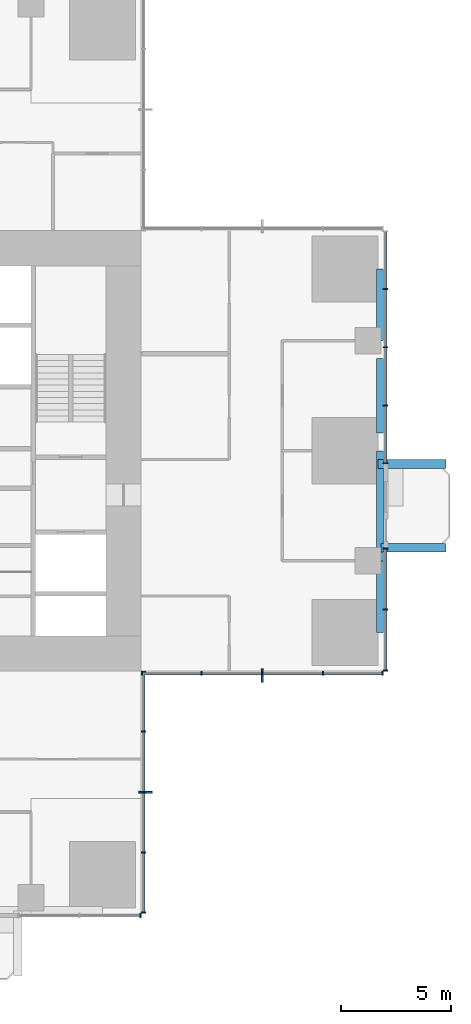
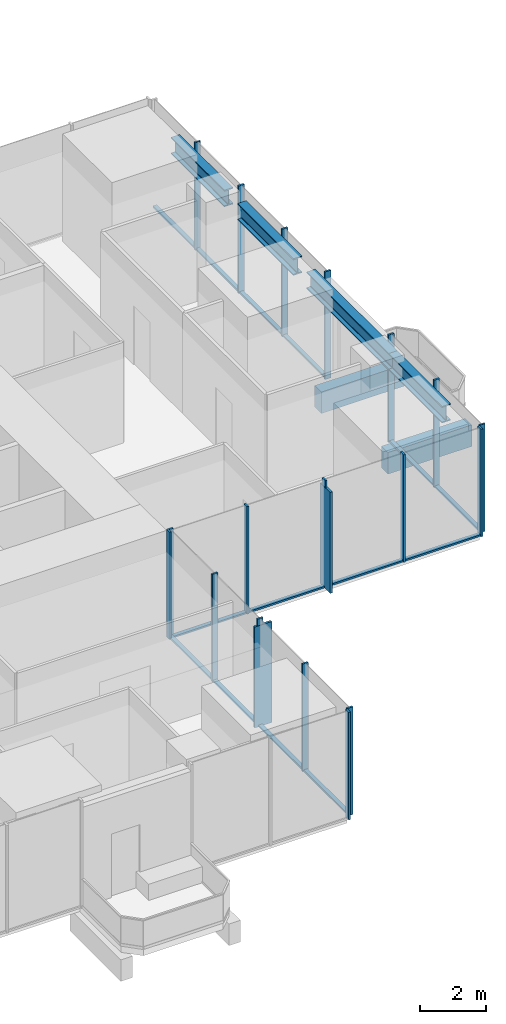
# One storey, part 4 of 14: 34 members, 6 beams, 5 elements without a shape of their own.
"""IFC4 building model written with IfcOpenShell, lengths in metres."""

import ifcopenshell
import ifcopenshell.guid

model = None  # the IFC model being written
_history = None  # IfcOwnerHistory: only IFC2X3 demands one
_inside = {}  # id of a spatial element -> (the spatial element, [elements in it])
_under = {}  # id of a project, library or spatial element -> (it, [spatial elements below it])
_declared = {}  # id of a project -> (the project, [libraries it declares])
_typed = {}  # id of a type object -> (the type object, [elements of that type])
_made_of = {}  # id of a material, layer set ... -> (it, [elements and type objects made of it])


def new_model(schema):
    """Start an empty IFC model of exactly this schema.

    Asked for "IFC4X3", IfcOpenShell would pick the latest addendum, in which some entities
    have other attributes; the version numbers below select the first issue.
    IFC2X3 requires an IfcOwnerHistory on every rooted entity: one is made here for all.
    """
    global model, _history
    if schema == "IFC4X3":
        model = ifcopenshell.file(schema_version=(4, 3, 0, 0))
    else:
        model = ifcopenshell.file(schema=schema)
    _inside.clear()
    _under.clear()
    _declared.clear()
    _typed.clear()
    _made_of.clear()
    _history = None
    if model.schema == "IFC2X3":
        org = make("IfcOrganization", Name="unknown")
        user = make(
            "IfcPersonAndOrganization",
            ThePerson=make("IfcPerson", FamilyName="unknown"),
            TheOrganization=org,
        )
        app = make(
            "IfcApplication",
            ApplicationDeveloper=org,
            Version="unknown",
            ApplicationFullName="unknown",
            ApplicationIdentifier="unknown",
        )
        _history = make(
            "IfcOwnerHistory",
            OwningUser=user,
            OwningApplication=app,
            ChangeAction="ADDED",
            CreationDate=0,
        )
    return model


def make(cls, **values):
    """One entity of the class cls with the attributes given. An attribute that is None is left unset."""
    return model.create_entity(
        cls, **{name: value for name, value in values.items() if value is not None}
    )


def rooted(cls, **values):
    """An entity with a GlobalId (a new one), such as an element, a storey or a relation."""
    return make(cls, GlobalId=ifcopenshell.guid.new(), OwnerHistory=_history, **values)


def si_unit(unit_type, name, prefix=None):
    """IfcSIUnit, for example si_unit("LENGTHUNIT", "METRE", prefix="MILLI")."""
    return make("IfcSIUnit", UnitType=unit_type, Prefix=prefix, Name=name)


def assignment(units):
    """IfcUnitAssignment: the units of a project."""
    return None if units is None else make("IfcUnitAssignment", Units=units)


def point(xyz):
    """IfcCartesianPoint."""
    return None if xyz is None else make("IfcCartesianPoint", Coordinates=xyz)


def direction(xyz):
    """IfcDirection."""
    return None if xyz is None else make("IfcDirection", DirectionRatios=xyz)


def frame(location, z_axis=None, x_axis=None):
    """IfcAxis2Placement3D, a coordinate frame: its origin and axes. An axis left out is left unset."""
    return make(
        "IfcAxis2Placement3D",
        Location=point(location),
        Axis=direction(z_axis),
        RefDirection=direction(x_axis),
    )


def frame_2d(location, x_axis=None):
    """IfcAxis2Placement2D, a coordinate frame in the plane: its origin and x axis."""
    return make(
        "IfcAxis2Placement2D", Location=point(location), RefDirection=direction(x_axis)
    )


def origin():
    """The frame at (0, 0, 0) with its axes left unset."""
    return frame((0.0, 0.0, 0.0))


def origin_2d():
    """The frame at (0, 0) in the plane with its x axis left unset."""
    return frame_2d((0.0, 0.0))


def place(relative_to, where):
    """IfcLocalPlacement: puts the frame where relative to a parent placement (None: the world)."""
    return make(
        "IfcLocalPlacement", PlacementRelTo=relative_to, RelativePlacement=where
    )


def context(
    kind, dimensions, precision=None, world=None, true_north=None, identifier=None
):
    """IfcGeometricRepresentationContext, for example the 3D "Model" context."""
    return make(
        "IfcGeometricRepresentationContext",
        ContextIdentifier=identifier,
        ContextType=kind,
        CoordinateSpaceDimension=dimensions,
        Precision=precision,
        WorldCoordinateSystem=world,
        TrueNorth=true_north,
    )


def subcontext(parent, identifier, kind, view, scale=None):
    """IfcGeometricRepresentationSubContext, for example "Body" below "Model"."""
    return make(
        "IfcGeometricRepresentationSubContext",
        ContextIdentifier=identifier,
        ContextType=kind,
        ParentContext=parent,
        TargetScale=scale,
        TargetView=view,
    )


def project(units=None, contexts=None):
    """IfcProject with its units and contexts."""
    return rooted(
        "IfcProject",
        Name="project",
        RepresentationContexts=contexts,
        UnitsInContext=assignment(units),
    )


def spatial(cls, under=None, at=None, **own):
    """A site, building, storey or space (cls), placed at a placement, below another one or the project."""
    s = rooted(cls, ObjectPlacement=at, **own)
    if under is not None:
        _under.setdefault(under.id(), (under, []))[1].append(s)
    return s


def profile(cls, at=None, kind="AREA", **sizes):
    """A parametric profile (cls). Its sizes go by their IFC names, for example OverallWidth=200.0."""
    return make(cls, ProfileType=kind, Position=at, **sizes)


def rectangle(**sizes):
    """IfcRectangleProfileDef."""
    return profile("IfcRectangleProfileDef", **sizes)


def i_section(**sizes):
    """IfcIShapeProfileDef."""
    return profile("IfcIShapeProfileDef", **sizes)


def extrude(swept, where, along, depth):
    """IfcExtrudedAreaSolid: the profile swept, set in the frame where, extruded along a direction by depth."""
    return make(
        "IfcExtrudedAreaSolid",
        SweptArea=swept,
        Position=where,
        ExtrudedDirection=direction(along),
        Depth=depth,
    )


def shape(context_of_items, identifier, shape_type, items):
    """IfcShapeRepresentation: the items that make up one representation, for example the "Body"."""
    return make(
        "IfcShapeRepresentation",
        ContextOfItems=context_of_items,
        RepresentationIdentifier=identifier,
        RepresentationType=shape_type,
        Items=items,
    )


def material(Name=None, Category=None):
    """IfcMaterial."""
    return make("IfcMaterial", Name=Name, Category=Category)


def material_profile(
    of_material, cross_section, Name=None, Category=None, Priority=None
):
    """IfcMaterialProfile: a cross section and its material."""
    return make(
        "IfcMaterialProfile",
        Name=Name,
        Material=of_material,
        Profile=cross_section,
        Priority=Priority,
        Category=Category,
    )


def profile_set(profiles, Name=None, composite=None):
    """IfcMaterialProfileSet."""
    return make(
        "IfcMaterialProfileSet",
        Name=Name,
        MaterialProfiles=profiles,
        CompositeProfile=composite,
    )


def made_of(thing, what):
    """Note that an element or type object is made of a material, layer set ...; save() writes the relation."""
    if what is not None:
        _made_of.setdefault(what.id(), (what, []))[1].append(thing)
    return thing


def type_object(cls, material=None, **own):
    """A type object (cls), such as IfcWallType, which elements share."""
    return made_of(rooted(cls, **own), material)


def element(
    cls,
    number,
    at=None,
    inside=None,
    cuts=None,
    type_object=None,
    material=None,
    context=None,
    identifier="Body",
    shape_type=None,
    held_by="IfcProductDefinitionShape",
    body=None,
    shapes=None,
    **own,
):
    """One element of the class cls, such as IfcWall. Its Tag is "e" and its number.

    at: its placement. inside: the storey or other place that contains it. cuts: it is an
    opening in that element (IfcRelVoidsElement). A single representation is given by context,
    identifier, shape_type and body (its items); several are given by shapes. held_by: the class
    of the entity that holds the representations. save() writes the other relations.
    """
    e = rooted(cls, Tag="e%d" % number, ObjectPlacement=at, **own)
    if body is not None:
        shapes = [shape(context, identifier, shape_type, body)]
    if shapes is not None:
        e.Representation = make(held_by, Representations=shapes)
    if inside is not None:
        _inside.setdefault(inside.id(), (inside, []))[1].append(e)
    if cuts is not None:
        rooted(
            "IfcRelVoidsElement", RelatingBuildingElement=cuts, RelatedOpeningElement=e
        )
    if type_object is not None:
        _typed.setdefault(type_object.id(), (type_object, []))[1].append(e)
    return made_of(e, material)


def aggregate(whole, parts):
    """IfcRelAggregates: a whole, such as a stair, and the parts it consists of."""
    return rooted("IfcRelAggregates", RelatingObject=whole, RelatedObjects=parts)


def save(model, path):
    """Write the relations noted so far, then the file.

    IfcRelAggregates (storeys below a building ...), IfcRelContainedInSpatialStructure (elements
    in a storey), IfcRelDefinesByType, IfcRelAssociatesMaterial and IfcRelDeclares: one each for
    every whole, place, type object, material and project.
    """
    for whole, parts in _under.values():
        aggregate(whole, parts)
    for where, things in _inside.values():
        rooted(
            "IfcRelContainedInSpatialStructure",
            RelatedElements=things,
            RelatingStructure=where,
        )
    for kind, things in _typed.values():
        rooted("IfcRelDefinesByType", RelatedObjects=things, RelatingType=kind)
    for what, things in _made_of.values():
        rooted("IfcRelAssociatesMaterial", RelatedObjects=things, RelatingMaterial=what)
    for by, libraries in _declared.values():
        rooted("IfcRelDeclares", RelatingContext=by, RelatedDefinitions=libraries)
    model.write(path)


model = new_model("IFC4")

# Units and contexts
model_context = context("Model", 3, precision=1e-05, world=origin(), true_north=direction((0.0, 1.0)))
body_context = subcontext(model_context, "Body", "Model", "MODEL_VIEW")
ifc_project = project(units=[si_unit("LENGTHUNIT", "METRE"), si_unit("AREAUNIT", "SQUARE_METRE"), si_unit("VOLUMEUNIT", "CUBIC_METRE"), si_unit("PLANEANGLEUNIT", "RADIAN"), si_unit("MASSUNIT", "GRAM", prefix="KILO")], contexts=[model_context])

# Site, building, storey
site_placement = place(None, origin())
site = spatial("IfcSite", under=ifc_project, at=site_placement, CompositionType="ELEMENT")
building_placement = place(site_placement, origin())
building = spatial("IfcBuilding", under=site, at=building_placement, Name="Svetlomir Tower", CompositionType="ELEMENT")
storey_placement = place(building_placement, frame((0.0, 0.0, 112.5)))
storey = spatial("IfcBuildingStorey", under=building, at=storey_placement, Name="L26", CompositionType="ELEMENT", Elevation=112.5)

# Beams
ifc_material_1 = material(Name="Concrete C60/75", Category="concrete")
ifc_material_profile_1 = material_profile(ifc_material_1, rectangle(XDim=0.39990234375, YDim=0.800048828125, at=origin_2d()), Name="RC 400x800")
ifc_profile_set_1 = profile_set([ifc_material_profile_1], Name="Concrete C60/75")
beam_type_1 = type_object("IfcBeamType", Name="BALCONY RIB RC 400x800", PredefinedType="BEAM", material=ifc_profile_set_1)
beam_1_placement = place(storey_placement, frame((41.89990234375, 16.60009765625, -0.64990234375), z_axis=(1.0, 0.0, 0.0), x_axis=(0.0, 1.0, 0.0)))
element("IfcBeam", 1, at=beam_1_placement, inside=storey, type_object=beam_type_1, Name="Balcony rib E 1 L26", PredefinedType="BEAM", context=body_context, shape_type="SweptSolid", body=[
    extrude(rectangle(XDim=0.39990234375, YDim=0.800048828125, at=origin_2d()), origin(), (0.0, 0.0, 1.0), 2.9501953125),
])
beam_2_placement = place(storey_placement, frame((41.75, 20.39990234375, -0.64990234375), z_axis=(1.0, 0.0, 0.0), x_axis=(0.0, 1.0, 0.0)))
element("IfcBeam", 2, at=beam_2_placement, inside=storey, type_object=beam_type_1, Name="Balcony rib E 2 L26", PredefinedType="BEAM", context=body_context, shape_type="SweptSolid", body=[
    extrude(rectangle(XDim=0.39990234375, YDim=0.800048828125, at=origin_2d()), origin(), (0.0, 0.0, 1.0), 3.10009765625),
])

# Curtain wall, member
ifc_material_2 = material(Name="Bronze anodised aluminium curtain wall", Category="aluminium")
curtain_wall_type = type_object("IfcCurtainWallType", Name="CURTAIN WALL CW1 TOWER OFFICE", PredefinedType="NOTDEFINED", material=ifc_material_2)
curtain_wall_1_placement = place(storey_placement, origin())
curtain_wall_1 = element("IfcCurtainWall", 3, at=curtain_wall_1_placement, inside=storey, type_object=curtain_wall_type, Name="Curtain wall CW1 L26", PredefinedType="NOTDEFINED")
ifc_material_3 = material(Name="Bronze anodised aluminium", Category="aluminium")
ifc_material_profile_2 = material_profile(ifc_material_3, rectangle(XDim=0.080078125, YDim=0.60009765625, at=origin_2d()), Name="FIN 80x600")
ifc_profile_set_2 = profile_set([ifc_material_profile_2], Name="Bronze anodised aluminium 6063-T6")
member_type_1 = type_object("IfcMemberType", Name="BRONZE FIN 80x600", PredefinedType="USERDEFINED", material=ifc_profile_set_2)
member_1_placement = place(storey_placement, frame((31.199951171875, 5.5, 0.0), z_axis=(0.0, 0.0, 1.0), x_axis=(0.0, 1.0, 0.0)))
member_1 = element("IfcMember", 4, at=member_1_placement, type_object=member_type_1, Name="Bronze fin L26", ObjectType="FIN", PredefinedType="USERDEFINED", context=body_context, shape_type="SweptSolid", body=[
    extrude(rectangle(XDim=0.080078125, YDim=0.60009765625, at=origin_2d()), origin(), (0.0, 0.0, 1.0), 3.75),
])

curtain_wall_2_placement = place(storey_placement, origin())
curtain_wall_2 = element("IfcCurtainWall", 5, at=curtain_wall_2_placement, inside=storey, type_object=curtain_wall_type, Name="Curtain wall CW1 L26", PredefinedType="NOTDEFINED")
member_2_placement = place(storey_placement, frame((36.5, 10.800048828125, 0.0), z_axis=(0.0, 0.0, 1.0), x_axis=(1.0, 0.0, 0.0)))
member_2 = element("IfcMember", 6, at=member_2_placement, type_object=member_type_1, Name="Bronze fin L26", ObjectType="FIN", PredefinedType="USERDEFINED", context=body_context, shape_type="SweptSolid", body=[
    extrude(rectangle(XDim=0.080078125, YDim=0.60009765625, at=origin_2d()), origin(), (0.0, 0.0, 1.0), 3.75),
])

curtain_wall_3_placement = place(storey_placement, origin())
curtain_wall_3 = element("IfcCurtainWall", 7, at=curtain_wall_3_placement, inside=storey, type_object=curtain_wall_type, Name="Curtain wall CW1 L26", PredefinedType="NOTDEFINED")
ifc_material_4 = material(Name="Bronze anodised aluminium", Category="aluminium")
ifc_material_profile_3 = material_profile(ifc_material_4, rectangle(XDim=0.06494140625, YDim=0.199951171875, at=origin_2d()), Name="AL 65x200")
ifc_profile_set_3 = profile_set([ifc_material_profile_3], Name="Bronze anodised aluminium 6063-T6")
member_type_2 = type_object("IfcMemberType", Name="CW1 MULLION 65x200", PredefinedType="MULLION", material=ifc_profile_set_3)
member_3_placement = place(storey_placement, frame((30.967529296875, -0.10009765625, 0.0), z_axis=(0.0, 0.0, 1.0), x_axis=(1.0, 0.0, 0.0)))
member_3 = element("IfcMember", 8, at=member_3_placement, type_object=member_type_2, Name="CW1 mullion 3", PredefinedType="MULLION", context=body_context, shape_type="SweptSolid", body=[
    extrude(rectangle(XDim=0.06494140625, YDim=0.199951171875, at=origin_2d()), origin(), (0.0, 0.0, 1.0), 4.0),
])
aggregate(curtain_wall_3, [member_3])

# Member
member_4_placement = place(storey_placement, frame((31.10009765625, 0.032470703125, 0.0), z_axis=(0.0, 0.0, 1.0), x_axis=(0.0, 1.0, 0.0)))
member_4 = element("IfcMember", 9, at=member_4_placement, type_object=member_type_2, Name="CW1 mullion 1", PredefinedType="MULLION", context=body_context, shape_type="SweptSolid", body=[
    extrude(rectangle(XDim=0.06494140625, YDim=0.199951171875, at=origin_2d()), origin(), (0.0, 0.0, 1.0), 4.0),
])

member_5_placement = place(storey_placement, frame((31.10009765625, 2.75, 0.0), z_axis=(0.0, 0.0, 1.0), x_axis=(0.0, 1.0, 0.0)))
member_5 = element("IfcMember", 10, at=member_5_placement, type_object=member_type_2, Name="CW1 mullion 2", PredefinedType="MULLION", context=body_context, shape_type="SweptSolid", body=[
    extrude(rectangle(XDim=0.06494140625, YDim=0.199951171875, at=origin_2d()), origin(), (0.0, 0.0, 1.0), 4.0),
])

member_6_placement = place(storey_placement, frame((31.10009765625, 5.5, 0.0), z_axis=(0.0, 0.0, 1.0), x_axis=(0.0, 1.0, 0.0)))
member_6 = element("IfcMember", 11, at=member_6_placement, type_object=member_type_2, Name="CW1 mullion 3", PredefinedType="MULLION", context=body_context, shape_type="SweptSolid", body=[
    extrude(rectangle(XDim=0.06494140625, YDim=0.199951171875, at=origin_2d()), origin(), (0.0, 0.0, 1.0), 4.0),
])

member_7_placement = place(storey_placement, frame((31.10009765625, 8.25, 0.0), z_axis=(0.0, 0.0, 1.0), x_axis=(0.0, 1.0, 0.0)))
member_7 = element("IfcMember", 12, at=member_7_placement, type_object=member_type_2, Name="CW1 mullion 4", PredefinedType="MULLION", context=body_context, shape_type="SweptSolid", body=[
    extrude(rectangle(XDim=0.06494140625, YDim=0.199951171875, at=origin_2d()), origin(), (0.0, 0.0, 1.0), 4.0),
])

member_8_placement = place(storey_placement, frame((31.10009765625, 10.967529296875, 0.0), z_axis=(0.0, 0.0, 1.0), x_axis=(0.0, 1.0, 0.0)))
member_8 = element("IfcMember", 13, at=member_8_placement, type_object=member_type_2, Name="CW1 mullion 5", PredefinedType="MULLION", context=body_context, shape_type="SweptSolid", body=[
    extrude(rectangle(XDim=0.06494140625, YDim=0.199951171875, at=origin_2d()), origin(), (0.0, 0.0, 1.0), 4.0),
])

member_9_placement = place(storey_placement, frame((31.032470703125, 10.89990234375, 0.0), z_axis=(0.0, 0.0, 1.0), x_axis=(1.0, 0.0, 0.0)))
member_9 = element("IfcMember", 14, at=member_9_placement, type_object=member_type_2, Name="CW1 mullion 1", PredefinedType="MULLION", context=body_context, shape_type="SweptSolid", body=[
    extrude(rectangle(XDim=0.06494140625, YDim=0.199951171875, at=origin_2d()), origin(), (0.0, 0.0, 1.0), 4.0),
])

member_10_placement = place(storey_placement, frame((33.75, 10.89990234375, 0.0), z_axis=(0.0, 0.0, 1.0), x_axis=(1.0, 0.0, 0.0)))
member_10 = element("IfcMember", 15, at=member_10_placement, type_object=member_type_2, Name="CW1 mullion 2", PredefinedType="MULLION", context=body_context, shape_type="SweptSolid", body=[
    extrude(rectangle(XDim=0.06494140625, YDim=0.199951171875, at=origin_2d()), origin(), (0.0, 0.0, 1.0), 4.0),
])

member_11_placement = place(storey_placement, frame((36.5, 10.89990234375, 0.0), z_axis=(0.0, 0.0, 1.0), x_axis=(1.0, 0.0, 0.0)))
member_11 = element("IfcMember", 16, at=member_11_placement, type_object=member_type_2, Name="CW1 mullion 3", PredefinedType="MULLION", context=body_context, shape_type="SweptSolid", body=[
    extrude(rectangle(XDim=0.06494140625, YDim=0.199951171875, at=origin_2d()), origin(), (0.0, 0.0, 1.0), 4.0),
])

member_12_placement = place(storey_placement, frame((39.25, 10.89990234375, 0.0), z_axis=(0.0, 0.0, 1.0), x_axis=(1.0, 0.0, 0.0)))
member_12 = element("IfcMember", 17, at=member_12_placement, type_object=member_type_2, Name="CW1 mullion 4", PredefinedType="MULLION", context=body_context, shape_type="SweptSolid", body=[
    extrude(rectangle(XDim=0.06494140625, YDim=0.199951171875, at=origin_2d()), origin(), (0.0, 0.0, 1.0), 4.0),
])

member_13_placement = place(storey_placement, frame((41.967529296875, 10.89990234375, 0.0), z_axis=(0.0, 0.0, 1.0), x_axis=(1.0, 0.0, 0.0)))
member_13 = element("IfcMember", 18, at=member_13_placement, type_object=member_type_2, Name="CW1 mullion 5", PredefinedType="MULLION", context=body_context, shape_type="SweptSolid", body=[
    extrude(rectangle(XDim=0.06494140625, YDim=0.199951171875, at=origin_2d()), origin(), (0.0, 0.0, 1.0), 4.0),
])

# Curtain wall, members
curtain_wall_4_placement = place(storey_placement, origin())
curtain_wall_4 = element("IfcCurtainWall", 19, at=curtain_wall_4_placement, inside=storey, type_object=curtain_wall_type, Name="Curtain wall CW1 L26", PredefinedType="NOTDEFINED")
member_14_placement = place(storey_placement, frame((42.10009765625, 11.032470703125, 0.0), z_axis=(0.0, 0.0, 1.0), x_axis=(0.0, 1.0, 0.0)))
member_14 = element("IfcMember", 20, at=member_14_placement, type_object=member_type_2, Name="CW1 mullion 1", PredefinedType="MULLION", context=body_context, shape_type="SweptSolid", body=[
    extrude(rectangle(XDim=0.06494140625, YDim=0.199951171875, at=origin_2d()), origin(), (0.0, 0.0, 1.0), 4.0),
])
member_15_placement = place(storey_placement, frame((42.10009765625, 13.800048828125, 0.0), z_axis=(0.0, 0.0, 1.0), x_axis=(0.0, 1.0, 0.0)))
member_15 = element("IfcMember", 21, at=member_15_placement, type_object=member_type_2, Name="CW1 mullion 2", PredefinedType="MULLION", context=body_context, shape_type="SweptSolid", body=[
    extrude(rectangle(XDim=0.06494140625, YDim=0.199951171875, at=origin_2d()), origin(), (0.0, 0.0, 1.0), 4.0),
])
member_16_placement = place(storey_placement, frame((42.10009765625, 16.5673828125, 0.0), z_axis=(0.0, 0.0, 1.0), x_axis=(0.0, 1.0, 0.0)))
member_16 = element("IfcMember", 22, at=member_16_placement, type_object=member_type_2, Name="CW1 mullion 3", PredefinedType="MULLION", context=body_context, shape_type="SweptSolid", body=[
    extrude(rectangle(XDim=0.06494140625, YDim=0.199951171875, at=origin_2d()), origin(), (0.0, 0.0, 1.0), 4.0),
])

curtain_wall_5_placement = place(storey_placement, origin())
curtain_wall_5 = element("IfcCurtainWall", 23, at=curtain_wall_5_placement, inside=storey, type_object=curtain_wall_type, Name="Curtain wall CW1 L26", PredefinedType="NOTDEFINED")
member_17_placement = place(storey_placement, frame((42.10009765625, 20.4326171875, 0.0), z_axis=(0.0, 0.0, 1.0), x_axis=(0.0, 1.0, 0.0)))
member_17 = element("IfcMember", 24, at=member_17_placement, type_object=member_type_2, Name="CW1 mullion 1", PredefinedType="MULLION", context=body_context, shape_type="SweptSolid", body=[
    extrude(rectangle(XDim=0.06494140625, YDim=0.199951171875, at=origin_2d()), origin(), (0.0, 0.0, 1.0), 4.0),
])
member_18_placement = place(storey_placement, frame((42.10009765625, 23.050048828125, 0.0), z_axis=(0.0, 0.0, 1.0), x_axis=(0.0, 1.0, 0.0)))
member_18 = element("IfcMember", 25, at=member_18_placement, type_object=member_type_2, Name="CW1 mullion 2", PredefinedType="MULLION", context=body_context, shape_type="SweptSolid", body=[
    extrude(rectangle(XDim=0.06494140625, YDim=0.199951171875, at=origin_2d()), origin(), (0.0, 0.0, 1.0), 4.0),
])
member_19_placement = place(storey_placement, frame((42.10009765625, 25.699951171875, 0.0), z_axis=(0.0, 0.0, 1.0), x_axis=(0.0, 1.0, 0.0)))
member_19 = element("IfcMember", 26, at=member_19_placement, type_object=member_type_2, Name="CW1 mullion 3", PredefinedType="MULLION", context=body_context, shape_type="SweptSolid", body=[
    extrude(rectangle(XDim=0.06494140625, YDim=0.199951171875, at=origin_2d()), origin(), (0.0, 0.0, 1.0), 4.0),
])
member_20_placement = place(storey_placement, frame((42.10009765625, 28.35009765625, 0.0), z_axis=(0.0, 0.0, 1.0), x_axis=(0.0, 1.0, 0.0)))
member_20 = element("IfcMember", 27, at=member_20_placement, type_object=member_type_2, Name="CW1 mullion 4", PredefinedType="MULLION", context=body_context, shape_type="SweptSolid", body=[
    extrude(rectangle(XDim=0.06494140625, YDim=0.199951171875, at=origin_2d()), origin(), (0.0, 0.0, 1.0), 4.0),
])

# Member
ifc_material_5 = material(Name="Bronze anodised aluminium", Category="aluminium")
ifc_material_profile_4 = material_profile(ifc_material_5, rectangle(XDim=0.139892578125, YDim=0.06494140625, at=origin_2d()), Name="AL 140x65")
ifc_profile_set_4 = profile_set([ifc_material_profile_4], Name="Bronze anodised aluminium 6063-T6")
member_type_3 = type_object("IfcMemberType", Name="CW1 TRANSOM 65x140", PredefinedType="USERDEFINED", material=ifc_profile_set_4)
member_21_placement = place(storey_placement, frame((31.10009765625, 0.06494140625, 0.032470703125), z_axis=(0.0, 1.0, 0.0), x_axis=(-1.0, 0.0, 0.0)))
member_21 = element("IfcMember", 28, at=member_21_placement, type_object=member_type_3, Name="CW1 transom 1.1", ObjectType="TRANSOM", PredefinedType="USERDEFINED", context=body_context, shape_type="SweptSolid", body=[
    extrude(rectangle(XDim=0.139892578125, YDim=0.06494140625, at=origin_2d()), origin(), (0.0, 0.0, 1.0), 2.652587890625),
])

member_22_placement = place(storey_placement, frame((31.10009765625, 2.782470703125, 0.032470703125), z_axis=(0.0, 1.0, 0.0), x_axis=(-1.0, 0.0, 0.0)))
member_22 = element("IfcMember", 29, at=member_22_placement, type_object=member_type_3, Name="CW1 transom 2.1", ObjectType="TRANSOM", PredefinedType="USERDEFINED", context=body_context, shape_type="SweptSolid", body=[
    extrude(rectangle(XDim=0.139892578125, YDim=0.06494140625, at=origin_2d()), origin(), (0.0, 0.0, 1.0), 2.68505859375),
])

member_23_placement = place(storey_placement, frame((31.10009765625, 5.532470703125, 0.032470703125), z_axis=(0.0, 1.0, 0.0), x_axis=(-1.0, 0.0, 0.0)))
member_23 = element("IfcMember", 30, at=member_23_placement, type_object=member_type_3, Name="CW1 transom 3.1", ObjectType="TRANSOM", PredefinedType="USERDEFINED", context=body_context, shape_type="SweptSolid", body=[
    extrude(rectangle(XDim=0.139892578125, YDim=0.06494140625, at=origin_2d()), origin(), (0.0, 0.0, 1.0), 2.68505859375),
])

member_24_placement = place(storey_placement, frame((31.10009765625, 8.282470703125, 0.032470703125), z_axis=(0.0, 1.0, 0.0), x_axis=(-1.0, 0.0, 0.0)))
member_24 = element("IfcMember", 31, at=member_24_placement, type_object=member_type_3, Name="CW1 transom 4.1", ObjectType="TRANSOM", PredefinedType="USERDEFINED", context=body_context, shape_type="SweptSolid", body=[
    extrude(rectangle(XDim=0.139892578125, YDim=0.06494140625, at=origin_2d()), origin(), (0.0, 0.0, 1.0), 2.652587890625),
])

aggregate(curtain_wall_1, [member_4, member_5, member_6, member_7, member_8, member_21, member_22, member_23, member_24, member_1])

member_25_placement = place(storey_placement, frame((31.06494140625, 10.89990234375, 0.032470703125), z_axis=(1.0, 0.0, 0.0), x_axis=(0.0, 1.0, 0.0)))
member_25 = element("IfcMember", 32, at=member_25_placement, type_object=member_type_3, Name="CW1 transom 1.1", ObjectType="TRANSOM", PredefinedType="USERDEFINED", context=body_context, shape_type="SweptSolid", body=[
    extrude(rectangle(XDim=0.139892578125, YDim=0.06494140625, at=origin_2d()), origin(), (0.0, 0.0, 1.0), 2.652587890625),
])

member_26_placement = place(storey_placement, frame((33.782470703125, 10.89990234375, 0.032470703125), z_axis=(1.0, 0.0, 0.0), x_axis=(0.0, 1.0, 0.0)))
member_26 = element("IfcMember", 33, at=member_26_placement, type_object=member_type_3, Name="CW1 transom 2.1", ObjectType="TRANSOM", PredefinedType="USERDEFINED", context=body_context, shape_type="SweptSolid", body=[
    extrude(rectangle(XDim=0.139892578125, YDim=0.06494140625, at=origin_2d()), origin(), (0.0, 0.0, 1.0), 2.68505859375),
])

member_27_placement = place(storey_placement, frame((36.532470703125, 10.89990234375, 0.032470703125), z_axis=(1.0, 0.0, 0.0), x_axis=(0.0, 1.0, 0.0)))
member_27 = element("IfcMember", 34, at=member_27_placement, type_object=member_type_3, Name="CW1 transom 3.1", ObjectType="TRANSOM", PredefinedType="USERDEFINED", context=body_context, shape_type="SweptSolid", body=[
    extrude(rectangle(XDim=0.139892578125, YDim=0.06494140625, at=origin_2d()), origin(), (0.0, 0.0, 1.0), 2.68505859375),
])

member_28_placement = place(storey_placement, frame((39.282470703125, 10.89990234375, 0.032470703125), z_axis=(1.0, 0.0, 0.0), x_axis=(0.0, 1.0, 0.0)))
member_28 = element("IfcMember", 35, at=member_28_placement, type_object=member_type_3, Name="CW1 transom 4.1", ObjectType="TRANSOM", PredefinedType="USERDEFINED", context=body_context, shape_type="SweptSolid", body=[
    extrude(rectangle(XDim=0.139892578125, YDim=0.06494140625, at=origin_2d()), origin(), (0.0, 0.0, 1.0), 2.652587890625),
])

aggregate(curtain_wall_2, [member_9, member_10, member_11, member_12, member_13, member_25, member_26, member_27, member_28, member_2])

member_29_placement = place(storey_placement, frame((42.10009765625, 11.06494140625, 0.032470703125), z_axis=(0.0, 1.0, 0.0), x_axis=(-1.0, 0.0, 0.0)))
member_29 = element("IfcMember", 36, at=member_29_placement, type_object=member_type_3, Name="CW1 transom 1.1", ObjectType="TRANSOM", PredefinedType="USERDEFINED", context=body_context, shape_type="SweptSolid", body=[
    extrude(rectangle(XDim=0.139892578125, YDim=0.06494140625, at=origin_2d()), origin(), (0.0, 0.0, 1.0), 2.70263671875),
])

member_30_placement = place(storey_placement, frame((42.10009765625, 13.83251953125, 0.032470703125), z_axis=(0.0, 1.0, 0.0), x_axis=(-1.0, 0.0, 0.0)))
member_30 = element("IfcMember", 37, at=member_30_placement, type_object=member_type_3, Name="CW1 transom 2.1", ObjectType="TRANSOM", PredefinedType="USERDEFINED", context=body_context, shape_type="SweptSolid", body=[
    extrude(rectangle(XDim=0.139892578125, YDim=0.06494140625, at=origin_2d()), origin(), (0.0, 0.0, 1.0), 2.702392578125),
])

aggregate(curtain_wall_4, [member_14, member_15, member_16, member_29, member_30])

member_31_placement = place(storey_placement, frame((42.10009765625, 20.465087890625, 0.032470703125), z_axis=(0.0, 1.0, 0.0), x_axis=(-1.0, 0.0, 0.0)))
member_31 = element("IfcMember", 38, at=member_31_placement, type_object=member_type_3, Name="CW1 transom 1.1", ObjectType="TRANSOM", PredefinedType="USERDEFINED", context=body_context, shape_type="SweptSolid", body=[
    extrude(rectangle(XDim=0.139892578125, YDim=0.06494140625, at=origin_2d()), origin(), (0.0, 0.0, 1.0), 2.552490234375),
])

member_32_placement = place(storey_placement, frame((42.10009765625, 23.08251953125, 0.032470703125), z_axis=(0.0, 1.0, 0.0), x_axis=(-1.0, 0.0, 0.0)))
member_32 = element("IfcMember", 39, at=member_32_placement, type_object=member_type_3, Name="CW1 transom 2.1", ObjectType="TRANSOM", PredefinedType="USERDEFINED", context=body_context, shape_type="SweptSolid", body=[
    extrude(rectangle(XDim=0.139892578125, YDim=0.06494140625, at=origin_2d()), origin(), (0.0, 0.0, 1.0), 2.5849609375),
])

member_33_placement = place(storey_placement, frame((42.10009765625, 25.732421875, 0.032470703125), z_axis=(0.0, 1.0, 0.0), x_axis=(-1.0, 0.0, 0.0)))
member_33 = element("IfcMember", 40, at=member_33_placement, type_object=member_type_3, Name="CW1 transom 3.1", ObjectType="TRANSOM", PredefinedType="USERDEFINED", context=body_context, shape_type="SweptSolid", body=[
    extrude(rectangle(XDim=0.139892578125, YDim=0.06494140625, at=origin_2d()), origin(), (0.0, 0.0, 1.0), 2.5849609375),
])

member_34_placement = place(storey_placement, frame((42.10009765625, 28.382568359375, 0.032470703125), z_axis=(0.0, 1.0, 0.0), x_axis=(-1.0, 0.0, 0.0)))
member_34 = element("IfcMember", 41, at=member_34_placement, type_object=member_type_3, Name="CW1 transom 4.1", ObjectType="TRANSOM", PredefinedType="USERDEFINED", context=body_context, shape_type="SweptSolid", body=[
    extrude(rectangle(XDim=0.139892578125, YDim=0.06494140625, at=origin_2d()), origin(), (0.0, 0.0, 1.0), 2.552490234375),
])

aggregate(curtain_wall_5, [member_17, member_18, member_19, member_20, member_31, member_32, member_33, member_34])

# Beams
ifc_material_6 = material(Name="Steel S355", Category="steel")
ifc_material_profile_5 = material_profile(ifc_material_6, i_section(OverallWidth=0.304931640625, OverallDepth=0.6201171875, WebThickness=0.02099609375, FlangeThickness=0.0400390625, FilletRadius=0.027099609375, at=origin_2d()), Name="HEM 600")
ifc_profile_set_5 = profile_set([ifc_material_profile_5], Name="Steel S355")
beam_type_2 = type_object("IfcBeamType", Name="EDGE BEAM HEM 600", PredefinedType="SPANDREL", material=ifc_profile_set_5)
beam_3_placement = place(storey_placement, frame((41.847412109375, 12.75, 3.43994140625), z_axis=(0.0, 1.0, 0.0), x_axis=(-1.0, 0.0, 0.0)))
element("IfcBeam", 42, at=beam_3_placement, inside=storey, type_object=beam_type_2, Name="Edge beam 42/11 to 42/16 under L27", PredefinedType="SPANDREL", context=body_context, shape_type="SweptSolid", body=[
    extrude(i_section(OverallWidth=0.304931640625, OverallDepth=0.6201171875, WebThickness=0.02099609375, FlangeThickness=0.0400390625, FilletRadius=0.027099609375, at=origin_2d()), origin(), (0.0, 0.0, 1.0), 3.25),
])
beam_4_placement = place(storey_placement, frame((41.847412109375, 16.0, 3.43994140625), z_axis=(0.0, 1.0, 0.0), x_axis=(-1.0, 0.0, 0.0)))
element("IfcBeam", 43, at=beam_4_placement, inside=storey, type_object=beam_type_2, Name="Edge beam 42/16 to 42/21 under L27", PredefinedType="SPANDREL", context=body_context, shape_type="SweptSolid", body=[
    extrude(i_section(OverallWidth=0.304931640625, OverallDepth=0.6201171875, WebThickness=0.02099609375, FlangeThickness=0.0400390625, FilletRadius=0.027099609375, at=origin_2d()), origin(), (0.0, 0.0, 1.0), 5.0),
])
beam_5_placement = place(storey_placement, frame((41.847412109375, 21.800048828125, 3.43994140625), z_axis=(0.0, 1.0, 0.0), x_axis=(-1.0, 0.0, 0.0)))
element("IfcBeam", 44, at=beam_5_placement, inside=storey, type_object=beam_type_2, Name="Edge beam 42/21 to 42/26 under L27", PredefinedType="SPANDREL", context=body_context, shape_type="SweptSolid", body=[
    extrude(i_section(OverallWidth=0.304931640625, OverallDepth=0.6201171875, WebThickness=0.02099609375, FlangeThickness=0.0400390625, FilletRadius=0.027099609375, at=origin_2d()), origin(), (0.0, 0.0, 1.0), 3.39990234375),
])
beam_6_placement = place(storey_placement, frame((41.847412109375, 26.0, 3.43994140625), z_axis=(0.0, 1.0, 0.0), x_axis=(-1.0, 0.0, 0.0)))
element("IfcBeam", 45, at=beam_6_placement, inside=storey, type_object=beam_type_2, Name="Edge beam 42/26 to 42/31 under L27", PredefinedType="SPANDREL", context=body_context, shape_type="SweptSolid", body=[
    extrude(i_section(OverallWidth=0.304931640625, OverallDepth=0.6201171875, WebThickness=0.02099609375, FlangeThickness=0.0400390625, FilletRadius=0.027099609375, at=origin_2d()), origin(), (0.0, 0.0, 1.0), 3.25),
])

save(model, "model.ifc")
